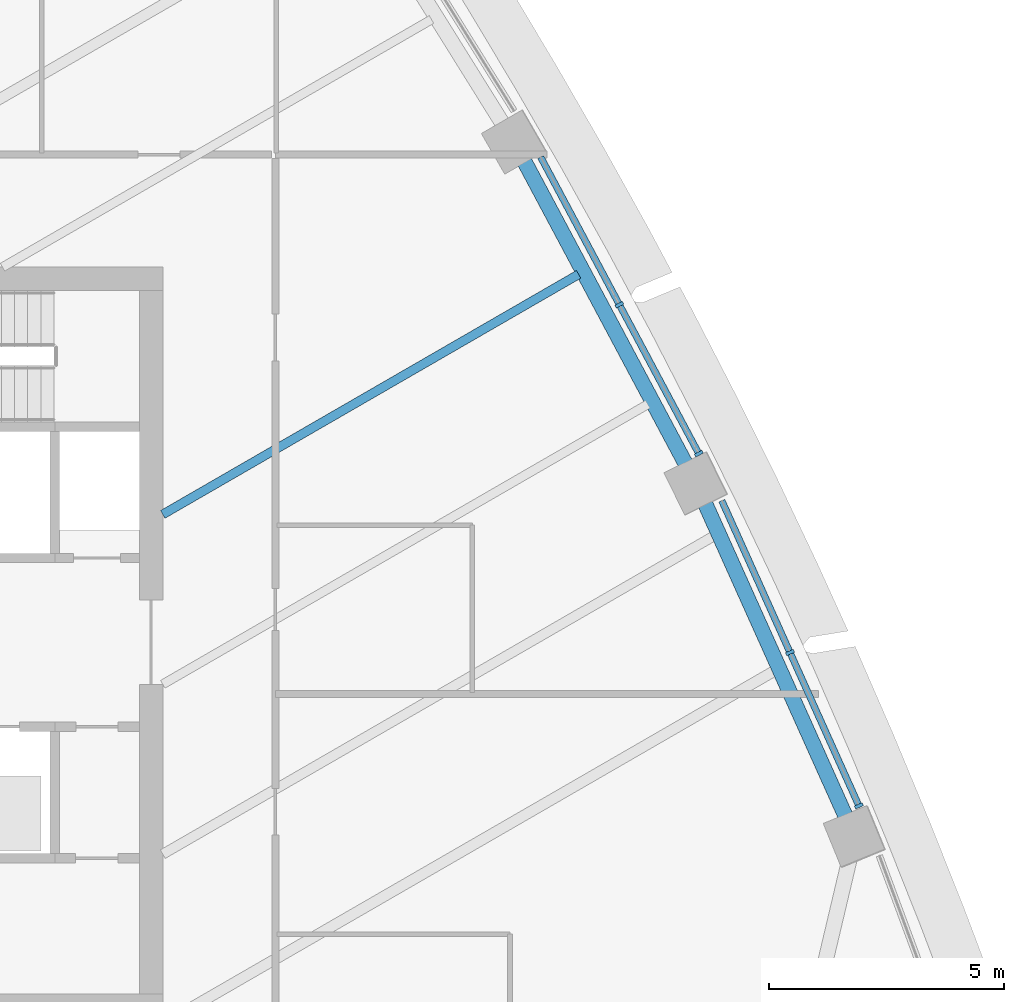
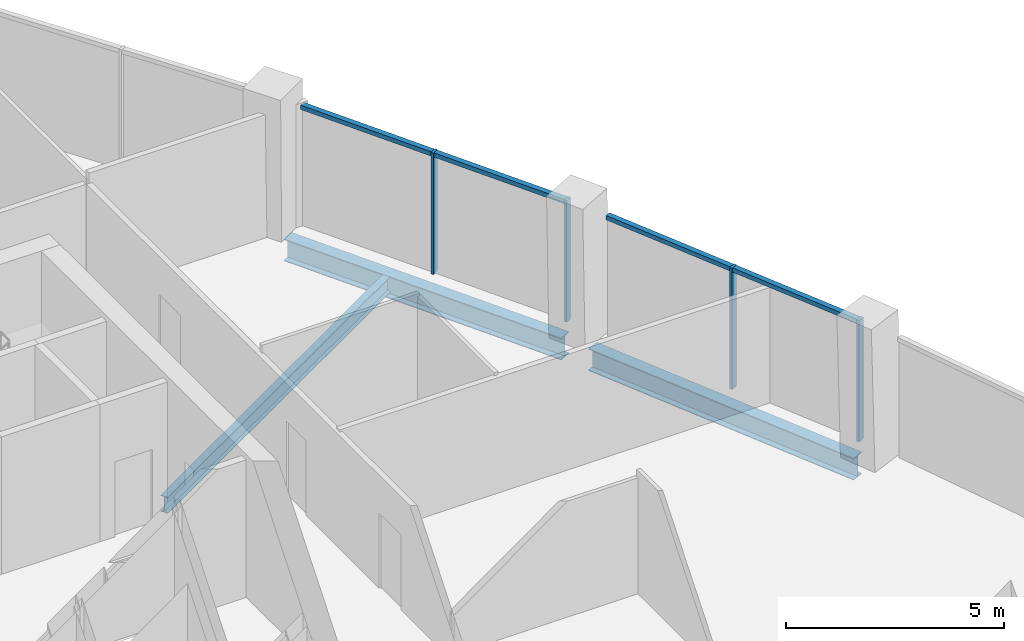
# One storey, part 5 of 16: 8 members, 3 beams, 2 elements without a shape of their own.
"""IFC4 building model written with IfcOpenShell, lengths in metres."""

from ifc_helpers import new_model, si_unit, direction, frame, origin, origin_2d, place, context, subcontext, project, spatial, rectangle, i_section, extrude, material, layer, layer_set, material_profile, profile_set, type_object, element, aggregate, save


model = new_model("IFC4")

# Units and contexts
model_context = context("Model", 3, precision=1e-05, world=origin(), true_north=direction((0.0, 1.0)))
body_context = subcontext(model_context, "Body", "Model", "MODEL_VIEW")
ifc_project = project(units=[si_unit("LENGTHUNIT", "METRE"), si_unit("AREAUNIT", "SQUARE_METRE"), si_unit("VOLUMEUNIT", "CUBIC_METRE"), si_unit("PLANEANGLEUNIT", "RADIAN"), si_unit("MASSUNIT", "GRAM", prefix="KILO")], contexts=[model_context])

# Site, building, storey
site_placement = place(None, origin())
site = spatial("IfcSite", under=ifc_project, at=site_placement, CompositionType="ELEMENT")
building_placement = place(site_placement, origin())
building = spatial("IfcBuilding", under=site, at=building_placement, Name="Sierra Prisma Convention Tower", CompositionType="ELEMENT")
storey_placement = place(building_placement, frame((0.0, 0.0, 181.800048828125)))
storey = spatial("IfcBuildingStorey", under=building, at=storey_placement, Name="L40", CompositionType="ELEMENT", Elevation=181.800048828125)

# Curtain wall, members
ifc_material_1 = material(Name="Aluminium and glass curtain wall", Category="aluminium")
ifc_layer = layer(ifc_material_1, 0.179931640625)
ifc_layer_set = layer_set([ifc_layer], Name="CW-1 Plain shaft curtain wall")
curtain_wall_type = type_object("IfcCurtainWallType", Name="CW-1 Plain shaft curtain wall", PredefinedType="NOTDEFINED", material=ifc_layer_set)
curtain_wall_1_placement = place(storey_placement, origin())
curtain_wall_1 = element("IfcCurtainWall", 1, at=curtain_wall_1_placement, inside=storey, type_object=curtain_wall_type, Name="CW-1 NE2 L40", PredefinedType="NOTDEFINED")
ifc_material_2 = material(Name="Aluminium 6063-T6 bronze anodised", Category="aluminium")
ifc_material_profile_1 = material_profile(ifc_material_2, rectangle(XDim=0.179931640625, YDim=0.070068359375, at=origin_2d()), Name="ALU MULLION 70x180")
ifc_profile_set_1 = profile_set([ifc_material_profile_1], Name="Aluminium 6063-T6 bronze anodised")
member_type_1 = type_object("IfcMemberType", Name="CW mullion bronze", PredefinedType="MULLION", material=ifc_profile_set_1)
member_1_placement = place(storey_placement, frame((25.840087890625, -3.4833984375, 0.0), z_axis=(0.0, 0.0, 1.0), x_axis=(-0.912187658255, -0.409772712767, 0.0)))
member_1 = element("IfcMember", 2, at=member_1_placement, type_object=member_type_1, Name="CW-1 mullion NE2.1", PredefinedType="MULLION", context=body_context, shape_type="SweptSolid", body=[
    extrude(rectangle(XDim=0.179931640625, YDim=0.070068359375, at=origin_2d()), origin(), (0.0, 0.0, 1.0), 3.39990234375),
])
member_2_placement = place(storey_placement, frame((24.371826171875, -0.215087890625, 0.0), z_axis=(0.0, 0.0, 1.0), x_axis=(-0.912187658255, -0.409772712767, 0.0)))
member_2 = element("IfcMember", 3, at=member_2_placement, type_object=member_type_1, Name="CW-1 mullion NE2.2", PredefinedType="MULLION", context=body_context, shape_type="SweptSolid", body=[
    extrude(rectangle(XDim=0.179931640625, YDim=0.070068359375, at=origin_2d()), origin(), (0.0, 0.0, 1.0), 3.39990234375),
])

curtain_wall_2_placement = place(storey_placement, origin())
curtain_wall_2 = element("IfcCurtainWall", 4, at=curtain_wall_2_placement, inside=storey, type_object=curtain_wall_type, Name="CW-1 NE3 L40", PredefinedType="NOTDEFINED")
member_3_placement = place(storey_placement, frame((22.427001953125, 4.024169921875, 0.0), z_axis=(0.0, 0.0, 1.0), x_axis=(-0.882426584724, -0.470450127615, 0.0)))
member_3 = element("IfcMember", 5, at=member_3_placement, type_object=member_type_1, Name="CW-1 mullion NE3.1", PredefinedType="MULLION", context=body_context, shape_type="SweptSolid", body=[
    extrude(rectangle(XDim=0.179931640625, YDim=0.070068359375, at=origin_2d()), origin(), (0.0, 0.0, 1.0), 3.39990234375),
])
member_4_placement = place(storey_placement, frame((20.73388671875, 7.199951171875, 0.0), z_axis=(0.0, 0.0, 1.0), x_axis=(-0.882426584724, -0.470450127615, 0.0)))
member_4 = element("IfcMember", 6, at=member_4_placement, type_object=member_type_1, Name="CW-1 mullion NE3.2", PredefinedType="MULLION", context=body_context, shape_type="SweptSolid", body=[
    extrude(rectangle(XDim=0.179931640625, YDim=0.070068359375, at=origin_2d()), origin(), (0.0, 0.0, 1.0), 3.39990234375),
])

# Member
ifc_material_3 = material(Name="Aluminium 6063-T6 bronze anodised", Category="aluminium")
ifc_material_profile_2 = material_profile(ifc_material_3, rectangle(XDim=0.139892578125, YDim=0.1201171875, at=origin_2d()), Name="ALU TRANSOM 120x140")
ifc_profile_set_2 = profile_set([ifc_material_profile_2], Name="Aluminium 6063-T6 bronze anodised")
member_type_2 = type_object("IfcMemberType", Name="CW transom bronze", PredefinedType="USERDEFINED", material=ifc_profile_set_2)
member_5_placement = place(storey_placement, frame((25.82568359375, -3.451416015625, 3.33984375), z_axis=(-0.409772178837, 0.912187898106, 0.0), x_axis=(-0.912187898106, -0.409772178837, 0.0)))
member_5 = element("IfcMember", 7, at=member_5_placement, type_object=member_type_2, Name="CW-1 transom NE2.1", ObjectType="TRANSOM", PredefinedType="USERDEFINED", context=body_context, shape_type="SweptSolid", body=[
    extrude(rectangle(XDim=0.139892578125, YDim=0.1201171875, at=origin_2d()), origin(), (0.0, 0.0, 1.0), 3.5126953125),
])

member_6_placement = place(storey_placement, frame((24.357421875, -0.18310546875, 3.33984375), z_axis=(-0.409772178837, 0.912187898106, 0.0), x_axis=(-0.912187898106, -0.409772178837, 0.0)))
member_6 = element("IfcMember", 8, at=member_6_placement, type_object=member_type_2, Name="CW-1 transom NE2.2", ObjectType="TRANSOM", PredefinedType="USERDEFINED", context=body_context, shape_type="SweptSolid", body=[
    extrude(rectangle(XDim=0.139892578125, YDim=0.1201171875, at=origin_2d()), origin(), (0.0, 0.0, 1.0), 3.5126953125),
])

aggregate(curtain_wall_1, [member_1, member_2, member_5, member_6])

member_7_placement = place(storey_placement, frame((22.410400390625, 4.05517578125, 3.33984375), z_axis=(-0.470444596473, 0.882429533532, 0.0), x_axis=(-0.882429533532, -0.470444596473, 0.0)))
member_7 = element("IfcMember", 9, at=member_7_placement, type_object=member_type_2, Name="CW-1 transom NE3.1", ObjectType="TRANSOM", PredefinedType="USERDEFINED", context=body_context, shape_type="SweptSolid", body=[
    extrude(rectangle(XDim=0.139892578125, YDim=0.1201171875, at=origin_2d()), origin(), (0.0, 0.0, 1.0), 3.52880859375),
])

member_8_placement = place(storey_placement, frame((20.71728515625, 7.23095703125, 3.33984375), z_axis=(-0.470444596473, 0.882429533532, 0.0), x_axis=(-0.882429533532, -0.470444596473, 0.0)))
member_8 = element("IfcMember", 10, at=member_8_placement, type_object=member_type_2, Name="CW-1 transom NE3.2", ObjectType="TRANSOM", PredefinedType="USERDEFINED", context=body_context, shape_type="SweptSolid", body=[
    extrude(rectangle(XDim=0.139892578125, YDim=0.1201171875, at=origin_2d()), origin(), (0.0, 0.0, 1.0), 3.52880859375),
])

aggregate(curtain_wall_2, [member_3, member_4, member_7, member_8])

# Beams
ifc_material_4 = material(Name="Steel ASTM A992 Gr 50", Category="steel")
ifc_material_profile_3 = material_profile(ifc_material_4, i_section(OverallWidth=0.18994140625, OverallDepth=0.45703125, WebThickness=0.009033203125, FlangeThickness=0.014404296875, at=origin_2d()), Name="W460x74")
ifc_profile_set_3 = profile_set([ifc_material_profile_3], Name="Steel ASTM A992 Gr 50")
beam_type_1 = type_object("IfcBeamType", Name="Floor joist W460x74", PredefinedType="JOIST", material=ifc_profile_set_3)
beam_placement = place(storey_placement, frame((19.86474609375, 7.847412109375, -0.378662109375), z_axis=(-0.86602115158, -0.500007364961, 0.0), x_axis=(0.500007364961, -0.86602115158, 0.0)))
element("IfcBeam", 11, at=beam_placement, inside=storey, type_object=beam_type_1, Name="Floor joist L40 NE07", PredefinedType="JOIST", context=body_context, shape_type="SweptSolid", body=[
    extrude(i_section(OverallWidth=0.18994140625, OverallDepth=0.45703125, WebThickness=0.009033203125, FlangeThickness=0.014404296875, at=origin_2d()), origin(), (0.0, 0.0, 1.0), 10.236083984375),
])
ifc_material_5 = material(Name="Steel ASTM A992 Gr 50", Category="steel")
ifc_material_profile_4 = material_profile(ifc_material_5, i_section(OverallWidth=0.324951171875, OverallDepth=0.615966796875, WebThickness=0.013916015625, FlangeThickness=0.021484375, at=origin_2d()), Name="W610x174")
ifc_profile_set_4 = profile_set([ifc_material_profile_4], Name="Steel ASTM A992 Gr 50")
beam_type_2 = type_object("IfcBeamType", Name="Spandrel beam W610x174", PredefinedType="BEAM", material=ifc_profile_set_4)
for number, where, z_axis, x_axis, name in (
    (12, (25.59765625, -3.797607421875, -0.4580078125), (-0.409752474458, 0.912196749433, 0.0), (-0.912196749433, -0.409752474458, 0.0), "Spandrel L40-08"),
    (13, (22.19140625, 3.72265625, -0.4580078125), (-0.470458067184, 0.882422351837, 0.0), (-0.882422351837, -0.470458067184, 0.0), "Spandrel L40-09"),
):
    element("IfcBeam", number, at=place(storey_placement, frame(where, z_axis=z_axis, x_axis=x_axis)), inside=storey, type_object=beam_type_2, Name=name, PredefinedType="BEAM", context=body_context, shape_type="SweptSolid", body=[
        extrude(i_section(OverallWidth=0.324951171875, OverallDepth=0.615966796875, WebThickness=0.013916015625, FlangeThickness=0.021484375, at=origin_2d()), origin(), (0.0, 0.0, 1.0), 7.49609375),
    ])

save(model, "model.ifc")
